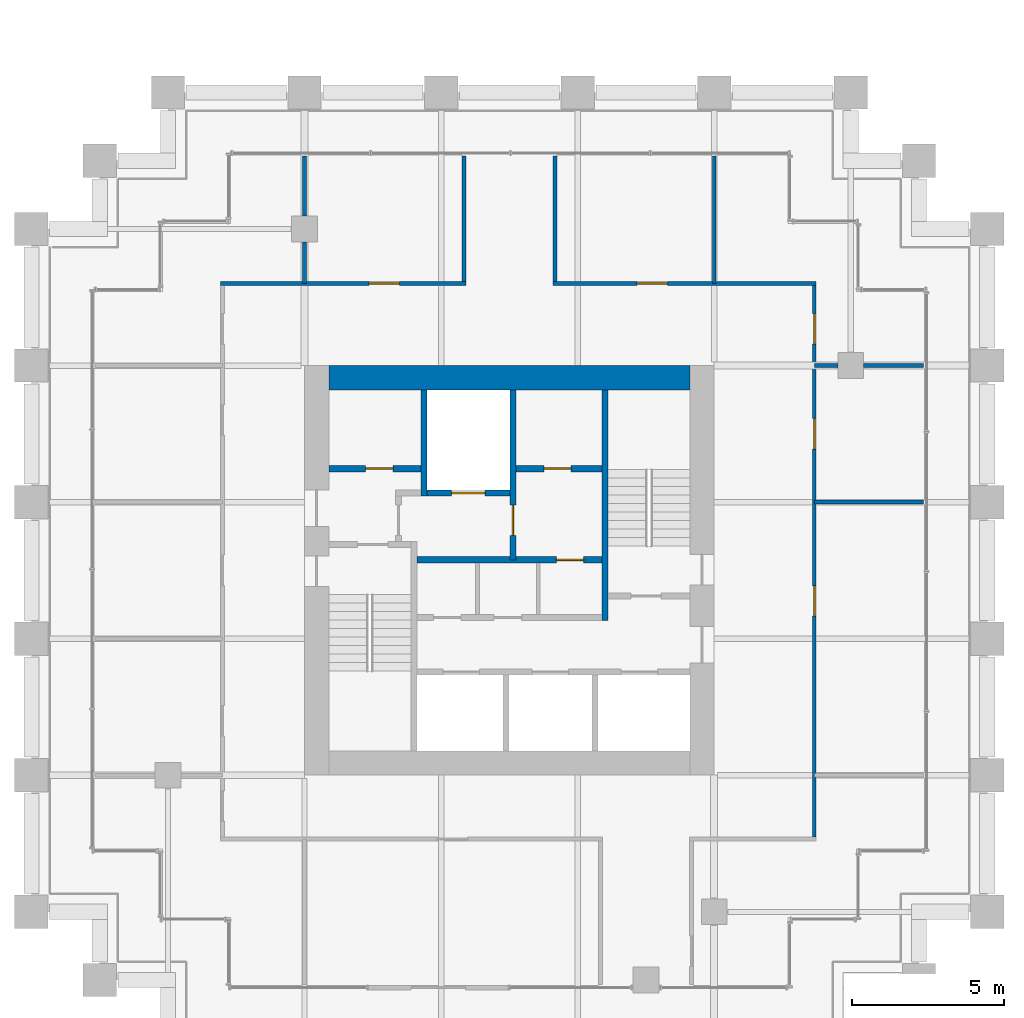
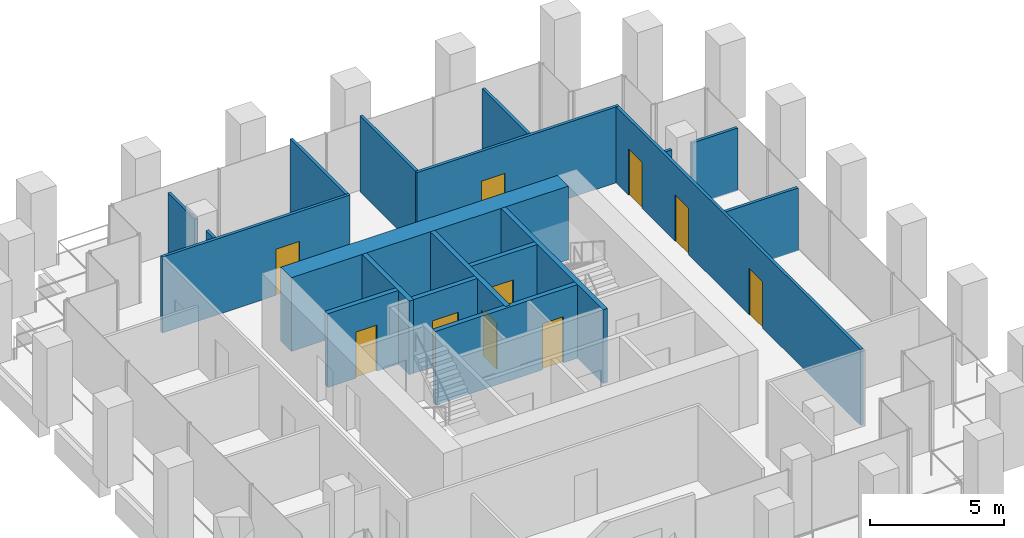
# One storey, part 52 of 55: 19 walls, 10 doors, 10 openings.
"""IFC4 building model written with IfcOpenShell, lengths in metres."""

import ifcopenshell
import ifcopenshell.guid

model = None  # the IFC model being written
_history = None  # IfcOwnerHistory: only IFC2X3 demands one
_inside = {}  # id of a spatial element -> (the spatial element, [elements in it])
_under = {}  # id of a project, library or spatial element -> (it, [spatial elements below it])
_declared = {}  # id of a project -> (the project, [libraries it declares])
_typed = {}  # id of a type object -> (the type object, [elements of that type])
_made_of = {}  # id of a material, layer set ... -> (it, [elements and type objects made of it])


def new_model(schema):
    """Start an empty IFC model of exactly this schema.

    Asked for "IFC4X3", IfcOpenShell would pick the latest addendum, in which some entities
    have other attributes; the version numbers below select the first issue.
    IFC2X3 requires an IfcOwnerHistory on every rooted entity: one is made here for all.
    """
    global model, _history
    if schema == "IFC4X3":
        model = ifcopenshell.file(schema_version=(4, 3, 0, 0))
    else:
        model = ifcopenshell.file(schema=schema)
    _inside.clear()
    _under.clear()
    _declared.clear()
    _typed.clear()
    _made_of.clear()
    _history = None
    if model.schema == "IFC2X3":
        org = make("IfcOrganization", Name="unknown")
        user = make(
            "IfcPersonAndOrganization",
            ThePerson=make("IfcPerson", FamilyName="unknown"),
            TheOrganization=org,
        )
        app = make(
            "IfcApplication",
            ApplicationDeveloper=org,
            Version="unknown",
            ApplicationFullName="unknown",
            ApplicationIdentifier="unknown",
        )
        _history = make(
            "IfcOwnerHistory",
            OwningUser=user,
            OwningApplication=app,
            ChangeAction="ADDED",
            CreationDate=0,
        )
    return model


def make(cls, **values):
    """One entity of the class cls with the attributes given. An attribute that is None is left unset."""
    return model.create_entity(
        cls, **{name: value for name, value in values.items() if value is not None}
    )


def rooted(cls, **values):
    """An entity with a GlobalId (a new one), such as an element, a storey or a relation."""
    return make(cls, GlobalId=ifcopenshell.guid.new(), OwnerHistory=_history, **values)


def si_unit(unit_type, name, prefix=None):
    """IfcSIUnit, for example si_unit("LENGTHUNIT", "METRE", prefix="MILLI")."""
    return make("IfcSIUnit", UnitType=unit_type, Prefix=prefix, Name=name)


def assignment(units):
    """IfcUnitAssignment: the units of a project."""
    return None if units is None else make("IfcUnitAssignment", Units=units)


def point(xyz):
    """IfcCartesianPoint."""
    return None if xyz is None else make("IfcCartesianPoint", Coordinates=xyz)


def direction(xyz):
    """IfcDirection."""
    return None if xyz is None else make("IfcDirection", DirectionRatios=xyz)


def frame(location, z_axis=None, x_axis=None):
    """IfcAxis2Placement3D, a coordinate frame: its origin and axes. An axis left out is left unset."""
    return make(
        "IfcAxis2Placement3D",
        Location=point(location),
        Axis=direction(z_axis),
        RefDirection=direction(x_axis),
    )


def frame_2d(location, x_axis=None):
    """IfcAxis2Placement2D, a coordinate frame in the plane: its origin and x axis."""
    return make(
        "IfcAxis2Placement2D", Location=point(location), RefDirection=direction(x_axis)
    )


def origin():
    """The frame at (0, 0, 0) with its axes left unset."""
    return frame((0.0, 0.0, 0.0))


def place(relative_to, where):
    """IfcLocalPlacement: puts the frame where relative to a parent placement (None: the world)."""
    return make(
        "IfcLocalPlacement", PlacementRelTo=relative_to, RelativePlacement=where
    )


def context(
    kind, dimensions, precision=None, world=None, true_north=None, identifier=None
):
    """IfcGeometricRepresentationContext, for example the 3D "Model" context."""
    return make(
        "IfcGeometricRepresentationContext",
        ContextIdentifier=identifier,
        ContextType=kind,
        CoordinateSpaceDimension=dimensions,
        Precision=precision,
        WorldCoordinateSystem=world,
        TrueNorth=true_north,
    )


def subcontext(parent, identifier, kind, view, scale=None):
    """IfcGeometricRepresentationSubContext, for example "Body" below "Model"."""
    return make(
        "IfcGeometricRepresentationSubContext",
        ContextIdentifier=identifier,
        ContextType=kind,
        ParentContext=parent,
        TargetScale=scale,
        TargetView=view,
    )


def project(units=None, contexts=None):
    """IfcProject with its units and contexts."""
    return rooted(
        "IfcProject",
        Name="project",
        RepresentationContexts=contexts,
        UnitsInContext=assignment(units),
    )


def spatial(cls, under=None, at=None, **own):
    """A site, building, storey or space (cls), placed at a placement, below another one or the project."""
    s = rooted(cls, ObjectPlacement=at, **own)
    if under is not None:
        _under.setdefault(under.id(), (under, []))[1].append(s)
    return s


def profile(cls, at=None, kind="AREA", **sizes):
    """A parametric profile (cls). Its sizes go by their IFC names, for example OverallWidth=200.0."""
    return make(cls, ProfileType=kind, Position=at, **sizes)


def rectangle(**sizes):
    """IfcRectangleProfileDef."""
    return profile("IfcRectangleProfileDef", **sizes)


def extrude(swept, where, along, depth):
    """IfcExtrudedAreaSolid: the profile swept, set in the frame where, extruded along a direction by depth."""
    return make(
        "IfcExtrudedAreaSolid",
        SweptArea=swept,
        Position=where,
        ExtrudedDirection=direction(along),
        Depth=depth,
    )


def shape(context_of_items, identifier, shape_type, items):
    """IfcShapeRepresentation: the items that make up one representation, for example the "Body"."""
    return make(
        "IfcShapeRepresentation",
        ContextOfItems=context_of_items,
        RepresentationIdentifier=identifier,
        RepresentationType=shape_type,
        Items=items,
    )


def material(Name=None, Category=None):
    """IfcMaterial."""
    return make("IfcMaterial", Name=Name, Category=Category)


def layer(
    of_material, thickness, ventilated=None, Name=None, Category=None, Priority=None
):
    """IfcMaterialLayer: one layer of a wall or slab, of a material (None: an air gap)."""
    return make(
        "IfcMaterialLayer",
        Material=of_material,
        LayerThickness=thickness,
        IsVentilated=ventilated,
        Name=Name,
        Category=Category,
        Priority=Priority,
    )


def layer_set(layers, Name=None):
    """IfcMaterialLayerSet."""
    return make("IfcMaterialLayerSet", MaterialLayers=layers, LayerSetName=Name)


def made_of(thing, what):
    """Note that an element or type object is made of a material, layer set ...; save() writes the relation."""
    if what is not None:
        _made_of.setdefault(what.id(), (what, []))[1].append(thing)
    return thing


def type_object(cls, material=None, **own):
    """A type object (cls), such as IfcWallType, which elements share."""
    return made_of(rooted(cls, **own), material)


def element(
    cls,
    number,
    at=None,
    inside=None,
    cuts=None,
    type_object=None,
    material=None,
    context=None,
    identifier="Body",
    shape_type=None,
    held_by="IfcProductDefinitionShape",
    body=None,
    shapes=None,
    **own,
):
    """One element of the class cls, such as IfcWall. Its Tag is "e" and its number.

    at: its placement. inside: the storey or other place that contains it. cuts: it is an
    opening in that element (IfcRelVoidsElement). A single representation is given by context,
    identifier, shape_type and body (its items); several are given by shapes. held_by: the class
    of the entity that holds the representations. save() writes the other relations.
    """
    e = rooted(cls, Tag="e%d" % number, ObjectPlacement=at, **own)
    if body is not None:
        shapes = [shape(context, identifier, shape_type, body)]
    if shapes is not None:
        e.Representation = make(held_by, Representations=shapes)
    if inside is not None:
        _inside.setdefault(inside.id(), (inside, []))[1].append(e)
    if cuts is not None:
        rooted(
            "IfcRelVoidsElement", RelatingBuildingElement=cuts, RelatedOpeningElement=e
        )
    if type_object is not None:
        _typed.setdefault(type_object.id(), (type_object, []))[1].append(e)
    return made_of(e, material)


def fill(opening, filler):
    """IfcRelFillsElement: the door or window that sits in an opening."""
    return rooted(
        "IfcRelFillsElement",
        RelatingOpeningElement=opening,
        RelatedBuildingElement=filler,
    )


def aggregate(whole, parts):
    """IfcRelAggregates: a whole, such as a stair, and the parts it consists of."""
    return rooted("IfcRelAggregates", RelatingObject=whole, RelatedObjects=parts)


def save(model, path):
    """Write the relations noted so far, then the file.

    IfcRelAggregates (storeys below a building ...), IfcRelContainedInSpatialStructure (elements
    in a storey), IfcRelDefinesByType, IfcRelAssociatesMaterial and IfcRelDeclares: one each for
    every whole, place, type object, material and project.
    """
    for whole, parts in _under.values():
        aggregate(whole, parts)
    for where, things in _inside.values():
        rooted(
            "IfcRelContainedInSpatialStructure",
            RelatedElements=things,
            RelatingStructure=where,
        )
    for kind, things in _typed.values():
        rooted("IfcRelDefinesByType", RelatedObjects=things, RelatingType=kind)
    for what, things in _made_of.values():
        rooted("IfcRelAssociatesMaterial", RelatedObjects=things, RelatingMaterial=what)
    for by, libraries in _declared.values():
        rooted("IfcRelDeclares", RelatingContext=by, RelatedDefinitions=libraries)
    model.write(path)


model = new_model("IFC4")

# Units and contexts
model_context = context("Model", 3, precision=1e-05, world=origin(), true_north=direction((0.0, 1.0)))
body_context = subcontext(model_context, "Body", "Model", "MODEL_VIEW")
ifc_project = project(units=[si_unit("LENGTHUNIT", "METRE"), si_unit("AREAUNIT", "SQUARE_METRE"), si_unit("VOLUMEUNIT", "CUBIC_METRE"), si_unit("PLANEANGLEUNIT", "RADIAN"), si_unit("MASSUNIT", "GRAM", prefix="KILO")], contexts=[model_context])

# Site, building, storey
site_placement = place(None, origin())
site = spatial("IfcSite", under=ifc_project, at=site_placement, CompositionType="ELEMENT")
building_placement = place(site_placement, origin())
building = spatial("IfcBuilding", under=site, at=building_placement, Name="Altepetl Exchange Towers", CompositionType="ELEMENT")
storey_placement = place(building_placement, frame((0.0, 0.0, 47.39990234375)))
storey = spatial("IfcBuildingStorey", under=building, at=storey_placement, Name="L10", CompositionType="ELEMENT", Elevation=47.39990234375)

# Wall
ifc_material_1 = material(Name="Concrete C70/85", Category="concrete")
ifc_layer_1 = layer(ifc_material_1, 0.800048828125)
ifc_layer_set_1 = layer_set([ifc_layer_1], Name="Concrete C70/85")
wall_type_1 = type_object("IfcWallType", Name="Core wall 800 reinforced concrete", PredefinedType="SHEAR", material=ifc_layer_set_1)
wall_1_placement = place(storey_placement, frame((104.300048828125, 49.10009765625, 0.0)))
element("IfcWall", 1, at=wall_1_placement, inside=storey, type_object=wall_type_1, Name="wall:B:L10:K-coreN", PredefinedType="SHEAR", context=body_context, shape_type="SweptSolid", body=[
    extrude(rectangle(XDim=11.89990234375, YDim=0.800048828125, at=frame_2d((5.949951171875, 0.0))), origin(), (0.0, 0.0, 1.0), 3.35009765625),
])

# Wall, opening, door
ifc_material_2 = material(Name="Concrete blockwork", Category="masonry")
ifc_layer_2 = layer(ifc_material_2, 0.199951171875)
ifc_layer_set_2 = layer_set([ifc_layer_2], Name="Concrete blockwork")
wall_type_2 = type_object("IfcWallType", Name="Lobby wall 200 blockwork", PredefinedType="PARTITIONING", material=ifc_layer_set_2)
wall_2_placement = place(storey_placement, frame((107.199951171875, 43.10009765625, 0.0)))
wall_2 = element("IfcWall", 2, at=wall_2_placement, inside=storey, type_object=wall_type_2, Name="wall:B:L10:K-zoneN", PredefinedType="PARTITIONING", context=body_context, shape_type="SweptSolid", body=[
    extrude(rectangle(XDim=6.10009765625, YDim=0.199951171875, at=frame_2d((3.050048828125, 0.0))), origin(), (0.0, 0.0, 1.0), 3.35009765625),
])
opening_1_placement = place(wall_2_placement, frame((4.60009765625, 0.0, 0.0)))
opening_1 = element("IfcOpeningElement", 3, at=opening_1_placement, cuts=wall_2, Name="Opening L10.B72", PredefinedType="OPENING", context=body_context, shape_type="SweptSolid", body=[
    extrude(rectangle(XDim=0.89990234375, YDim=2.10009765625, at=frame_2d((0.449951171875, 1.050048828125))), frame((0.0, 0.10986328125, 0.0), z_axis=(0.0, -1.0, 0.0), x_axis=(1.0, 0.0, 0.0)), (0.0, 0.0, 1.0), 0.219970703125),
])
ifc_material_3 = material(Name="Steel and timber fire door", Category="steel")
door_type_1 = type_object("IfcDoorType", Name="Fire door 900 x 2100 service room", OperationType="SINGLE_SWING_LEFT", PredefinedType="DOOR", material=ifc_material_3)
door_1_placement = place(opening_1_placement, frame((0.89990234375, 0.0, 0.0), x_axis=(-1.0, 0.0, 0.0)))
door_1 = element("IfcDoor", 4, at=door_1_placement, inside=storey, type_object=door_type_1, Name="door:B:L10:K-dz3", OperationType="SINGLE_SWING_LEFT", OverallHeight=2.10009765625, OverallWidth=0.89990234375, PredefinedType="DOOR", context=body_context, shape_type="SweptSolid", body=[
    extrude(rectangle(XDim=0.89990234375, YDim=2.10009765625, at=frame_2d((0.449951171875, 1.050048828125))), frame((0.0, 0.02490234375, 0.0), z_axis=(0.0, -1.0, 0.0), x_axis=(1.0, 0.0, 0.0)), (0.0, 0.0, 1.0), 0.050048828125),
])
fill(opening_1, door_1)

# Walls
ifc_material_4 = material(Name="Gypsum board on steel studs", Category="steel")
ifc_layer_3 = layer(ifc_material_4, 0.125)
ifc_layer_set_3 = layer_set([ifc_layer_3], Name="Gypsum board on steel studs")
wall_type_3 = type_object("IfcWallType", Name="Partition 125 gypsum board on steel studs", PredefinedType="PARTITIONING", material=ifc_layer_set_3)
wall_3_placement = place(storey_placement, frame((120.300048828125, 45.0, 0.0)))
element("IfcWall", 5, at=wall_3_placement, inside=storey, type_object=wall_type_3, Name="wall:B:L10:P08", PredefinedType="PARTITIONING", context=body_context, shape_type="SweptSolid", body=[
    extrude(rectangle(XDim=3.599853515625, YDim=0.125, at=frame_2d((1.7998046875, 0.0))), origin(), (0.0, 0.0, 1.0), 2.85107421875),
])
wall_4_placement = place(storey_placement, frame((120.300048828125, 49.5, 0.0)))
element("IfcWall", 6, at=wall_4_placement, inside=storey, type_object=wall_type_3, Name="wall:B:L10:P10", PredefinedType="PARTITIONING", context=body_context, shape_type="SweptSolid", body=[
    extrude(rectangle(XDim=0.77490234375, YDim=0.125, at=frame_2d((0.387451171875, 0.0))), origin(), (0.0, 0.0, 1.0), 2.842041015625),
])
wall_5_placement = place(storey_placement, frame((121.925048828125, 49.5, 0.0)))
element("IfcWall", 7, at=wall_5_placement, inside=storey, type_object=wall_type_3, Name="wall:B:L10:P11", PredefinedType="PARTITIONING", context=body_context, shape_type="SweptSolid", body=[
    extrude(rectangle(XDim=1.974853515625, YDim=0.125, at=frame_2d((0.9873046875, 0.0))), origin(), (0.0, 0.0, 1.0), 2.842041015625),
])

# Wall, opening, door
wall_6_placement = place(storey_placement, frame((100.737548828125, 52.199951171875, 0.0)))
wall_6 = element("IfcWall", 8, at=wall_6_placement, inside=storey, type_object=wall_type_3, Name="wall:B:L10:P12", PredefinedType="PARTITIONING", context=body_context, shape_type="SweptSolid", body=[
    extrude(rectangle(XDim=8.074951171875, YDim=0.125, at=frame_2d((4.03759765625, 0.0))), origin(), (0.0, 0.0, 1.0), 3.4501953125),
])
opening_2_placement = place(wall_6_placement, frame((4.887451171875, 0.0, 0.0)))
opening_2 = element("IfcOpeningElement", 9, at=opening_2_placement, cuts=wall_6, Name="Opening L10.B10", PredefinedType="OPENING", context=body_context, shape_type="SweptSolid", body=[
    extrude(rectangle(XDim=1.0, YDim=2.10009765625, at=frame_2d((0.5, 1.050048828125))), frame((0.0, 0.072509765625, 0.0), z_axis=(0.0, -1.0, 0.0), x_axis=(1.0, 0.0, 0.0)), (0.0, 0.0, 1.0), 0.14501953125),
])
door_type_2 = type_object("IfcDoorType", Name="Fire door 1000 x 2100 single leaf", OperationType="SINGLE_SWING_LEFT", PredefinedType="DOOR", material=ifc_material_3)
door_2_placement = place(opening_2_placement, origin())
door_2 = element("IfcDoor", 10, at=door_2_placement, inside=storey, type_object=door_type_2, Name="door:B:L10:10", OperationType="SINGLE_SWING_LEFT", OverallHeight=2.10009765625, OverallWidth=1.0, PredefinedType="DOOR", context=body_context, shape_type="SweptSolid", body=[
    extrude(rectangle(XDim=1.0, YDim=2.10009765625, at=frame_2d((0.5, 1.050048828125))), frame((0.0, 0.02490234375, 0.0), z_axis=(0.0, -1.0, 0.0), x_axis=(1.0, 0.0, 0.0)), (0.0, 0.0, 1.0), 0.050048828125),
])
fill(opening_2, door_2)

wall_7_placement = place(storey_placement, frame((111.6875, 52.199951171875, 0.0)))
wall_7 = element("IfcWall", 11, at=wall_7_placement, inside=storey, type_object=wall_type_3, Name="wall:B:L10:P13", PredefinedType="PARTITIONING", context=body_context, shape_type="SweptSolid", body=[
    extrude(rectangle(XDim=8.675048828125, YDim=0.125, at=frame_2d((4.33740234375, 0.0))), origin(), (0.0, 0.0, 1.0), 3.4501953125),
])
opening_3_placement = place(wall_7_placement, frame((2.7734375, 0.0, 0.0)))
opening_3 = element("IfcOpeningElement", 12, at=opening_3_placement, cuts=wall_7, Name="Opening L10.B09", PredefinedType="OPENING", context=body_context, shape_type="SweptSolid", body=[
    extrude(rectangle(XDim=1.0, YDim=2.10009765625, at=frame_2d((0.5, 1.050048828125))), frame((0.0, 0.072509765625, 0.0), z_axis=(0.0, -1.0, 0.0), x_axis=(1.0, 0.0, 0.0)), (0.0, 0.0, 1.0), 0.14501953125),
])
door_3_placement = place(opening_3_placement, origin())
door_3 = element("IfcDoor", 13, at=door_3_placement, inside=storey, type_object=door_type_2, Name="door:B:L10:09", OperationType="SINGLE_SWING_RIGHT", OverallHeight=2.10009765625, OverallWidth=1.0, PredefinedType="DOOR", context=body_context, shape_type="SweptSolid", body=[
    extrude(rectangle(XDim=1.0, YDim=2.10009765625, at=frame_2d((0.5, 1.050048828125))), frame((0.0, 0.02490234375, 0.0), z_axis=(0.0, -1.0, 0.0), x_axis=(1.0, 0.0, 0.0)), (0.0, 0.0, 1.0), 0.050048828125),
])
fill(opening_3, door_3)

# Walls
wall_8_placement = place(storey_placement, frame((103.5, 52.199951171875, 0.0), z_axis=(0.0, 0.0, 1.0), x_axis=(0.0, 1.0, 0.0)))
element("IfcWall", 14, at=wall_8_placement, inside=storey, type_object=wall_type_3, Name="wall:B:L10:P16", PredefinedType="PARTITIONING", context=body_context, shape_type="SweptSolid", body=[
    extrude(rectangle(XDim=1.375, YDim=0.125, at=frame_2d((0.6875, 0.0))), origin(), (0.0, 0.0, 1.0), 2.842041015625),
])
wall_9_placement = place(storey_placement, frame((103.5, 54.425048828125, 0.0), z_axis=(0.0, 0.0, 1.0), x_axis=(0.0, 1.0, 0.0)))
element("IfcWall", 15, at=wall_9_placement, inside=storey, type_object=wall_type_3, Name="wall:B:L10:P17", PredefinedType="PARTITIONING", context=body_context, shape_type="SweptSolid", body=[
    extrude(rectangle(XDim=1.974853515625, YDim=0.125, at=frame_2d((0.9873046875, 0.0))), origin(), (0.0, 0.0, 1.0), 2.842041015625),
])
for number, where, z_axis, x_axis, name in (
    (16, (108.75, 52.262451171875, 0.0), (0.0, 0.0, 1.0), (0.0, 1.0, 0.0), "wall:B:L10:P18"),
    (17, (111.75, 52.262451171875, 0.0), (0.0, 0.0, 1.0), (0.0, 1.0, 0.0), "wall:B:L10:P19"),
):
    element("IfcWall", number, at=place(storey_placement, frame(where, z_axis=z_axis, x_axis=x_axis)), inside=storey, type_object=wall_type_3, Name=name, PredefinedType="PARTITIONING", context=body_context, shape_type="SweptSolid", body=[
        extrude(rectangle(XDim=4.137451171875, YDim=0.125, at=frame_2d((2.06884765625, 0.0))), origin(), (0.0, 0.0, 1.0), 3.4501953125),
    ])
wall_10_placement = place(storey_placement, frame((117.0, 52.199951171875, 0.0), z_axis=(0.0, 0.0, 1.0), x_axis=(0.0, 1.0, 0.0)))
element("IfcWall", 18, at=wall_10_placement, inside=storey, type_object=wall_type_3, Name="wall:B:L10:P22", PredefinedType="PARTITIONING", context=body_context, shape_type="SweptSolid", body=[
    extrude(rectangle(XDim=4.199951171875, YDim=0.125, at=frame_2d((2.10009765625, 0.0))), origin(), (0.0, 0.0, 1.0), 2.85107421875),
])

# Wall, openings, doors
wall_11_placement = place(storey_placement, frame((120.300048828125, 33.96240234375, 0.0), z_axis=(0.0, 0.0, 1.0), x_axis=(0.0, 1.0, 0.0)))
wall_11 = element("IfcWall", 19, at=wall_11_placement, inside=storey, type_object=wall_type_3, Name="wall:B:L10:P23", PredefinedType="PARTITIONING", context=body_context, shape_type="SweptSolid", body=[
    extrude(rectangle(XDim=18.175048828125, YDim=0.125, at=frame_2d((9.08740234375, 0.0))), origin(), (0.0, 0.0, 1.0), 3.4501953125),
])
opening_4_placement = place(wall_11_placement, frame((7.279541015625, 0.0, 0.0)))
opening_4 = element("IfcOpeningElement", 20, at=opening_4_placement, cuts=wall_11, Name="Opening L10.B06", PredefinedType="OPENING", context=body_context, shape_type="SweptSolid", body=[
    extrude(rectangle(XDim=1.0, YDim=2.10009765625, at=frame_2d((0.5, 1.050048828125))), frame((0.0, 0.072509765625, 0.0), z_axis=(0.0, -1.0, 0.0), x_axis=(1.0, 0.0, 0.0)), (0.0, 0.0, 1.0), 0.14501953125),
])
opening_5_placement = place(wall_11_placement, frame((12.78759765625, 0.0, 0.0)))
opening_5 = element("IfcOpeningElement", 21, at=opening_5_placement, cuts=wall_11, Name="Opening L10.B07", PredefinedType="OPENING", context=body_context, shape_type="SweptSolid", body=[
    extrude(rectangle(XDim=1.0, YDim=2.10009765625, at=frame_2d((0.5, 1.050048828125))), frame((0.0, 0.072509765625, 0.0), z_axis=(0.0, -1.0, 0.0), x_axis=(1.0, 0.0, 0.0)), (0.0, 0.0, 1.0), 0.14501953125),
])
opening_6_placement = place(wall_11_placement, frame((16.24755859375, 0.0, 0.0)))
opening_6 = element("IfcOpeningElement", 22, at=opening_6_placement, cuts=wall_11, Name="Opening L10.B08", PredefinedType="OPENING", context=body_context, shape_type="SweptSolid", body=[
    extrude(rectangle(XDim=1.0, YDim=2.10009765625, at=frame_2d((0.5, 1.050048828125))), frame((0.0, 0.072509765625, 0.0), z_axis=(0.0, -1.0, 0.0), x_axis=(1.0, 0.0, 0.0)), (0.0, 0.0, 1.0), 0.14501953125),
])
door_4_placement = place(opening_4_placement, frame((1.0, 0.0, 0.0), x_axis=(-1.0, 0.0, 0.0)))
door_4 = element("IfcDoor", 23, at=door_4_placement, inside=storey, type_object=door_type_2, Name="door:B:L10:06", OperationType="SINGLE_SWING_LEFT", OverallHeight=2.10009765625, OverallWidth=1.0, PredefinedType="DOOR", context=body_context, shape_type="SweptSolid", body=[
    extrude(rectangle(XDim=1.0, YDim=2.10009765625, at=frame_2d((0.5, 1.050048828125))), frame((0.0, 0.02490234375, 0.0), z_axis=(0.0, -1.0, 0.0), x_axis=(1.0, 0.0, 0.0)), (0.0, 0.0, 1.0), 0.050048828125),
])
fill(opening_4, door_4)
door_5_placement = place(opening_5_placement, frame((1.0, 0.0, 0.0), x_axis=(-1.0, 0.0, 0.0)))
door_5 = element("IfcDoor", 24, at=door_5_placement, inside=storey, type_object=door_type_2, Name="door:B:L10:07", OperationType="SINGLE_SWING_LEFT", OverallHeight=2.10009765625, OverallWidth=1.0, PredefinedType="DOOR", context=body_context, shape_type="SweptSolid", body=[
    extrude(rectangle(XDim=1.0, YDim=2.10009765625, at=frame_2d((0.5, 1.050048828125))), frame((0.0, 0.02490234375, 0.0), z_axis=(0.0, -1.0, 0.0), x_axis=(1.0, 0.0, 0.0)), (0.0, 0.0, 1.0), 0.050048828125),
])
fill(opening_5, door_5)
door_6_placement = place(opening_6_placement, origin())
door_6 = element("IfcDoor", 25, at=door_6_placement, inside=storey, type_object=door_type_2, Name="door:B:L10:08", OperationType="SINGLE_SWING_RIGHT", OverallHeight=2.10009765625, OverallWidth=1.0, PredefinedType="DOOR", context=body_context, shape_type="SweptSolid", body=[
    extrude(rectangle(XDim=1.0, YDim=2.10009765625, at=frame_2d((0.5, 1.050048828125))), frame((0.0, 0.02490234375, 0.0), z_axis=(0.0, -1.0, 0.0), x_axis=(1.0, 0.0, 0.0)), (0.0, 0.0, 1.0), 0.050048828125),
])
fill(opening_6, door_6)

# Wall
ifc_material_5 = material(Name="Concrete C40/50", Category="concrete")
ifc_layer_4 = layer(ifc_material_5, 0.199951171875)
ifc_layer_set_4 = layer_set([ifc_layer_4], Name="Concrete C40/50")
wall_type_4 = type_object("IfcWallType", Name="Shaft wall 200 reinforced concrete", PredefinedType="SHEAR", material=ifc_layer_set_4)
wall_12_placement = place(storey_placement, frame((107.433349609375, 48.699951171875, 0.0), z_axis=(0.0, 0.0, 1.0), x_axis=(0.0, -1.0, 0.0)))
element("IfcWall", 26, at=wall_12_placement, inside=storey, type_object=wall_type_4, Name="wall:B:L10:K-divN1", PredefinedType="SHEAR", context=body_context, shape_type="SweptSolid", body=[
    extrude(rectangle(XDim=3.5, YDim=0.199951171875, at=frame_2d((1.75, 0.0))), origin(), (0.0, 0.0, 1.0), 3.35009765625),
])

# Wall, opening, door
wall_13_placement = place(storey_placement, frame((110.36669921875, 48.699951171875, 0.0), z_axis=(0.0, 0.0, 1.0), x_axis=(0.0, -1.0, 0.0)))
wall_13 = element("IfcWall", 27, at=wall_13_placement, inside=storey, type_object=wall_type_4, Name="wall:B:L10:K-divN2", PredefinedType="SHEAR", context=body_context, shape_type="SweptSolid", body=[
    extrude(rectangle(XDim=5.599853515625, YDim=0.199951171875, at=frame_2d((2.7998046875, 0.0))), origin(), (0.0, 0.0, 1.0), 3.35009765625),
])
opening_7_placement = place(wall_13_placement, frame((3.800048828125, 0.0, 0.0)))
opening_7 = element("IfcOpeningElement", 28, at=opening_7_placement, cuts=wall_13, Name="Opening L10.B66", PredefinedType="OPENING", context=body_context, shape_type="SweptSolid", body=[
    extrude(rectangle(XDim=1.0, YDim=2.10009765625, at=frame_2d((0.5, 1.050048828125))), frame((0.0, 0.10986328125, 0.0), z_axis=(0.0, -1.0, 0.0), x_axis=(1.0, 0.0, 0.0)), (0.0, 0.0, 1.0), 0.219970703125),
])
door_type_3 = type_object("IfcDoorType", Name="Fire door 1000 x 2100 stair and lobby", OperationType="SINGLE_SWING_LEFT", PredefinedType="DOOR", material=ifc_material_3)
door_7_placement = place(opening_7_placement, frame((1.0, 0.0, 0.0), x_axis=(-1.0, 0.0, 0.0)))
door_7 = element("IfcDoor", 29, at=door_7_placement, inside=storey, type_object=door_type_3, Name="door:B:L10:K-dffE", OperationType="SINGLE_SWING_RIGHT", OverallHeight=2.10009765625, OverallWidth=1.0, PredefinedType="DOOR", context=body_context, shape_type="SweptSolid", body=[
    extrude(rectangle(XDim=1.0, YDim=2.10009765625, at=frame_2d((0.5, 1.050048828125))), frame((0.0, 0.02490234375, 0.0), z_axis=(0.0, -1.0, 0.0), x_axis=(1.0, 0.0, 0.0)), (0.0, 0.0, 1.0), 0.050048828125),
])
fill(opening_7, door_7)

wall_14_placement = place(storey_placement, frame((104.300048828125, 46.10009765625, 0.0)))
wall_14 = element("IfcWall", 30, at=wall_14_placement, inside=storey, type_object=wall_type_4, Name="wall:B:L10:K-frontNa", PredefinedType="SHEAR", context=body_context, shape_type="SweptSolid", body=[
    extrude(rectangle(XDim=3.033203125, YDim=0.199951171875, at=frame_2d((1.5166015625, 0.0))), origin(), (0.0, 0.0, 1.0), 3.35009765625),
])
opening_8_placement = place(wall_14_placement, frame((1.216796875, 0.0, 0.0)))
opening_8 = element("IfcOpeningElement", 31, at=opening_8_placement, cuts=wall_14, Name="Opening L10.B68", PredefinedType="OPENING", context=body_context, shape_type="SweptSolid", body=[
    extrude(rectangle(XDim=0.89990234375, YDim=2.10009765625, at=frame_2d((0.449951171875, 1.050048828125))), frame((0.0, 0.10986328125, 0.0), z_axis=(0.0, -1.0, 0.0), x_axis=(1.0, 0.0, 0.0)), (0.0, 0.0, 1.0), 0.219970703125),
])
door_8_placement = place(opening_8_placement, origin())
door_8 = element("IfcDoor", 32, at=door_8_placement, inside=storey, type_object=door_type_1, Name="door:B:L10:K-dslotN0", OperationType="SINGLE_SWING_RIGHT", OverallHeight=2.10009765625, OverallWidth=0.89990234375, PredefinedType="DOOR", context=body_context, shape_type="SweptSolid", body=[
    extrude(rectangle(XDim=0.89990234375, YDim=2.10009765625, at=frame_2d((0.449951171875, 1.050048828125))), frame((0.0, 0.02490234375, 0.0), z_axis=(0.0, -1.0, 0.0), x_axis=(1.0, 0.0, 0.0)), (0.0, 0.0, 1.0), 0.050048828125),
])
fill(opening_8, door_8)

wall_15_placement = place(storey_placement, frame((110.466796875, 46.10009765625, 0.0)))
wall_15 = element("IfcWall", 33, at=wall_15_placement, inside=storey, type_object=wall_type_4, Name="wall:B:L10:K-frontNb", PredefinedType="SHEAR", context=body_context, shape_type="SweptSolid", body=[
    extrude(rectangle(XDim=2.833251953125, YDim=0.199951171875, at=frame_2d((1.41650390625, 0.0))), origin(), (0.0, 0.0, 1.0), 3.35009765625),
])
opening_9_placement = place(wall_15_placement, frame((0.91650390625, 0.0, 0.0)))
opening_9 = element("IfcOpeningElement", 34, at=opening_9_placement, cuts=wall_15, Name="Opening L10.B69", PredefinedType="OPENING", context=body_context, shape_type="SweptSolid", body=[
    extrude(rectangle(XDim=0.89990234375, YDim=2.10009765625, at=frame_2d((0.449951171875, 1.050048828125))), frame((0.0, 0.10986328125, 0.0), z_axis=(0.0, -1.0, 0.0), x_axis=(1.0, 0.0, 0.0)), (0.0, 0.0, 1.0), 0.219970703125),
])
door_9_placement = place(opening_9_placement, origin())
door_9 = element("IfcDoor", 35, at=door_9_placement, inside=storey, type_object=door_type_1, Name="door:B:L10:K-dslotN2", OperationType="SINGLE_SWING_RIGHT", OverallHeight=2.10009765625, OverallWidth=0.89990234375, PredefinedType="DOOR", context=body_context, shape_type="SweptSolid", body=[
    extrude(rectangle(XDim=0.89990234375, YDim=2.10009765625, at=frame_2d((0.449951171875, 1.050048828125))), frame((0.0, 0.02490234375, 0.0), z_axis=(0.0, -1.0, 0.0), x_axis=(1.0, 0.0, 0.0)), (0.0, 0.0, 1.0), 0.050048828125),
])
fill(opening_9, door_9)

wall_16_placement = place(storey_placement, frame((107.533203125, 45.300048828125, 0.0)))
wall_16 = element("IfcWall", 36, at=wall_16_placement, inside=storey, type_object=wall_type_4, Name="wall:B:L10:K-frontNd", PredefinedType="SHEAR", context=body_context, shape_type="SweptSolid", body=[
    extrude(rectangle(XDim=2.7333984375, YDim=0.199951171875, at=frame_2d((1.36669921875, 0.0))), origin(), (0.0, 0.0, 1.0), 3.35009765625),
])
opening_10_placement = place(wall_16_placement, frame((0.816650390625, 0.0, 0.0)))
opening_10 = element("IfcOpeningElement", 37, at=opening_10_placement, cuts=wall_16, Name="Opening L10.B73", PredefinedType="OPENING", context=body_context, shape_type="SweptSolid", body=[
    extrude(rectangle(XDim=1.10009765625, YDim=2.10009765625, at=frame_2d((0.550048828125, 1.050048828125))), frame((0.0, 0.10986328125, 0.0), z_axis=(0.0, -1.0, 0.0), x_axis=(1.0, 0.0, 0.0)), (0.0, 0.0, 1.0), 0.219970703125),
])
ifc_material_6 = material(Name="Stainless steel", Category="steel")
door_type_4 = type_object("IfcDoorType", Name="Lift landing door 1100 x 2100", OperationType="SLIDING_TO_LEFT", PredefinedType="DOOR", material=ifc_material_6)
door_10_placement = place(opening_10_placement, origin())
door_10 = element("IfcDoor", 38, at=door_10_placement, inside=storey, type_object=door_type_4, Name="Landing door FFL1", OperationType="SLIDING_TO_LEFT", OverallHeight=2.10009765625, OverallWidth=1.10009765625, PredefinedType="DOOR", context=body_context, shape_type="SweptSolid", body=[
    extrude(rectangle(XDim=1.10009765625, YDim=2.10009765625, at=frame_2d((0.550048828125, 1.050048828125))), frame((0.0, 0.02490234375, 0.0), z_axis=(0.0, -1.0, 0.0), x_axis=(1.0, 0.0, 0.0)), (0.0, 0.0, 1.0), 0.050048828125),
])
fill(opening_10, door_10)

# Wall
ifc_layer_5 = layer(ifc_material_5, 0.199951171875)
ifc_layer_set_5 = layer_set([ifc_layer_5], Name="Concrete C40/50")
wall_type_5 = type_object("IfcWallType", Name="Stair wall 200 reinforced concrete", PredefinedType="SHEAR", material=ifc_layer_set_5)
wall_17_placement = place(storey_placement, frame((113.39990234375, 41.10009765625, 0.0), z_axis=(0.0, 0.0, 1.0), x_axis=(0.0, 1.0, 0.0)))
element("IfcWall", 39, at=wall_17_placement, inside=storey, type_object=wall_type_5, Name="wall:B:L10:K-stS2W", PredefinedType="SHEAR", context=body_context, shape_type="SweptSolid", body=[
    extrude(rectangle(XDim=7.599853515625, YDim=0.199951171875, at=frame_2d((3.7998046875, 0.0))), origin(), (0.0, 0.0, 1.0), 3.35009765625),
])

save(model, "model.ifc")
